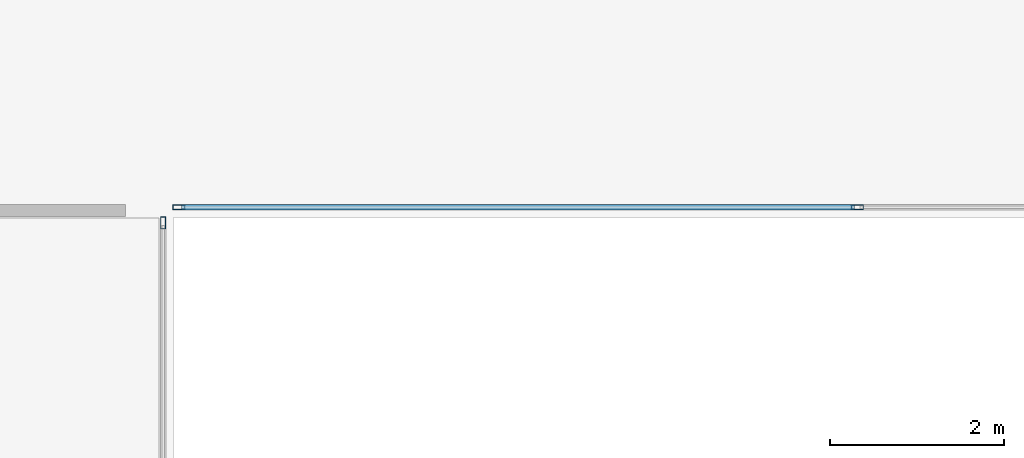
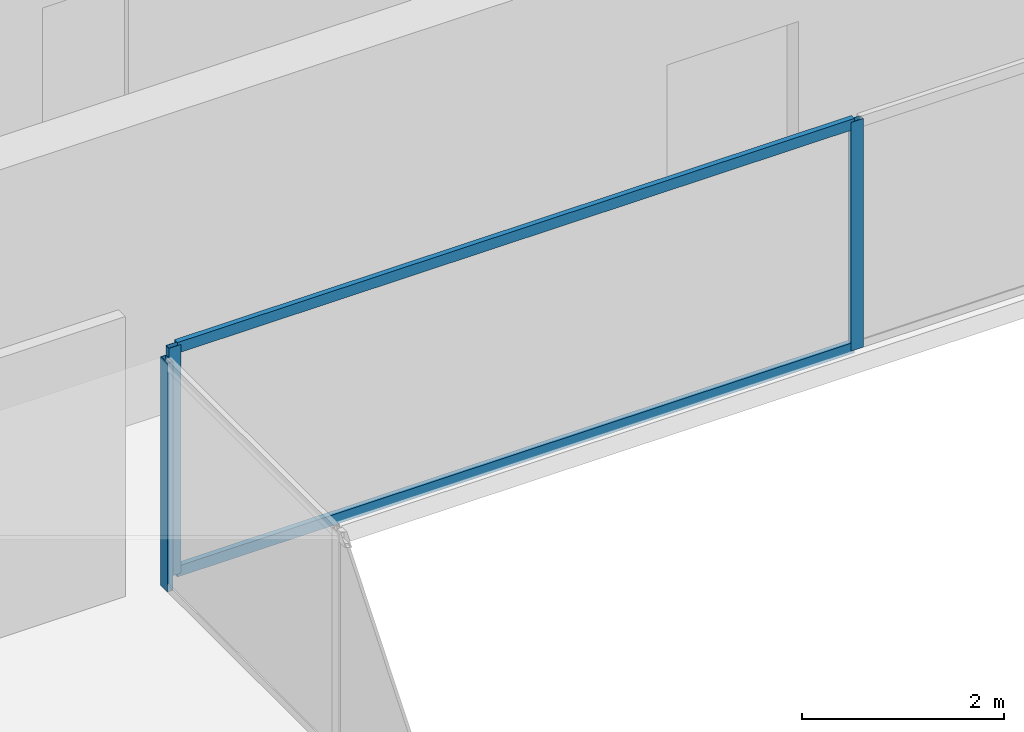
# One storey, part 10 of 30: 5 members, 2 elements without a shape of their own.
"""IFC4 building model written with IfcOpenShell, lengths in metres."""

from ifc_helpers import new_model, si_unit, direction, frame, origin, origin_2d, place, context, subcontext, project, spatial, hollow_rectangle, extrude, source, transform, mapped, material, layer, layer_set, material_profile, profile_set, type_object, element, aggregate, save


model = new_model("IFC4")

# Units and contexts
model_context = context("Model", 3, precision=1e-05, world=origin(), true_north=direction((0.0, 1.0)))
body_context = subcontext(model_context, "Body", "Model", "MODEL_VIEW")
ifc_project = project(units=[si_unit("LENGTHUNIT", "METRE"), si_unit("AREAUNIT", "SQUARE_METRE"), si_unit("VOLUMEUNIT", "CUBIC_METRE"), si_unit("PLANEANGLEUNIT", "RADIAN"), si_unit("MASSUNIT", "GRAM", prefix="KILO")], contexts=[model_context])

# Site, building, storey
site_placement = place(None, origin())
site = spatial("IfcSite", under=ifc_project, at=site_placement, CompositionType="ELEMENT")
building_placement = place(site_placement, origin())
building = spatial("IfcBuilding", under=site, at=building_placement, Name="Sumidabori Civic Tower", CompositionType="ELEMENT")
storey_placement = place(building_placement, frame((0.0, 0.0, 200.0)))
storey = spatial("IfcBuildingStorey", under=building, at=storey_placement, Name="L51", CompositionType="ELEMENT", Elevation=200.0)

# Curtain wall, member
ifc_material = material(Name="Anodised Bronze Aluminium AW-6063-T6", Category="aluminium")
ifc_layer = layer(ifc_material, 0.179931640625, Name="Anodised Bronze Aluminium AW-6063-T6")
ifc_layer_set = layer_set([ifc_layer], Name="Anodised Bronze Aluminium AW-6063-T6")
curtain_wall_type = type_object("IfcCurtainWallType", Name="CW-SYS-4", PredefinedType="NOTDEFINED", material=ifc_layer_set)
curtain_wall_1_placement = place(storey_placement, origin())
curtain_wall_1 = element("IfcCurtainWall", 1, at=curtain_wall_1_placement, inside=storey, type_object=curtain_wall_type, Name="Curtain Wall CW:L51:R04", PredefinedType="NOTDEFINED")
ifc_material_profile_1 = material_profile(ifc_material, hollow_rectangle(XDim=0.06005859375, YDim=0.139892578125, WallThickness=0.0048828125, at=origin_2d()), Name="ALU MULLION 140x60")
ifc_profile_set_1 = profile_set([ifc_material_profile_1], Name="Anodised Bronze Aluminium AW-6063-T6")
member_type_1 = type_object("IfcMemberType", Name="CW-MUL-140", PredefinedType="MULLION", material=ifc_profile_set_1)
shared_shape_1 = source(origin(), body_context, "Body", "SweptSolid", [
    extrude(hollow_rectangle(XDim=0.06005859375, YDim=0.139892578125, WallThickness=0.0048828125, at=origin_2d()), origin(), (0.0, 0.0, 1.0), 2.760009765625),
])
member_1_placement = place(storey_placement, frame((-7.969970703125, 7.340087890625, 0.0), z_axis=(0.0, 0.0, 1.0), x_axis=(-1.0, 0.0, 0.0)))
member_1 = element("IfcMember", 2, at=member_1_placement, type_object=member_type_1, Name="CW-4 mullion 3", PredefinedType="MULLION", context=body_context, shape_type="MappedRepresentation", body=[
    mapped(shared_shape_1, transform((0.0, 0.0, 0.0), x_axis=(1.0, 0.0, 0.0), y_axis=(0.0, 1.0, 0.0), z_axis=(0.0, 0.0, 1.0), scale=1.0)),
])
aggregate(curtain_wall_1, [member_1])

# Curtain wall, members
curtain_wall_2_placement = place(storey_placement, origin())
curtain_wall_2 = element("IfcCurtainWall", 3, at=curtain_wall_2_placement, inside=storey, type_object=curtain_wall_type, Name="Curtain Wall CW:L51:R05", PredefinedType="NOTDEFINED")
member_2_placement = place(storey_placement, frame((-7.7900390625, 7.52001953125, 0.0), z_axis=(0.0, 0.0, 1.0), x_axis=(0.0, 1.0, 0.0)))
member_2 = element("IfcMember", 4, at=member_2_placement, type_object=member_type_1, Name="CW-4 mullion 1", PredefinedType="MULLION", context=body_context, shape_type="MappedRepresentation", body=[
    mapped(shared_shape_1, transform((0.0, 0.0, 0.0), x_axis=(1.0, 0.0, 0.0), y_axis=(0.0, 1.0, 0.0), z_axis=(0.0, 0.0, 1.0), scale=1.0)),
])
member_3_placement = place(storey_placement, frame((0.0, 7.52001953125, 0.0), z_axis=(0.0, 0.0, 1.0), x_axis=(0.0, 1.0, 0.0)))
member_3 = element("IfcMember", 5, at=member_3_placement, type_object=member_type_1, Name="CW-4 mullion 2", PredefinedType="MULLION", context=body_context, shape_type="MappedRepresentation", body=[
    mapped(shared_shape_1, transform((0.0, 0.0, 0.0), x_axis=(1.0, 0.0, 0.0), y_axis=(0.0, 1.0, 0.0), z_axis=(0.0, 0.0, 1.0), scale=1.0)),
])
ifc_material_profile_2 = material_profile(ifc_material, hollow_rectangle(XDim=0.06005859375, YDim=0.1298828125, WallThickness=0.0048828125, at=origin_2d()), Name="ALU TRANSOM 130x60")
ifc_profile_set_2 = profile_set([ifc_material_profile_2], Name="Anodised Bronze Aluminium AW-6063-T6")
member_type_2 = type_object("IfcMemberType", Name="CW-TRN-130", PredefinedType="USERDEFINED", material=ifc_profile_set_2)
shared_shape_2 = source(origin(), body_context, "Body", "SweptSolid", [
    extrude(hollow_rectangle(XDim=0.06005859375, YDim=0.1298828125, WallThickness=0.0048828125, at=origin_2d()), origin(), (0.0, 0.0, 1.0), 7.72998046875),
])
member_4_placement = place(storey_placement, frame((-7.760009765625, 7.52001953125, 0.030029296875), z_axis=(1.0, 0.0, 0.0), x_axis=(0.0, 1.0, 0.0)))
member_4 = element("IfcMember", 6, at=member_4_placement, type_object=member_type_2, Name="CW-4 transom 1.1", ObjectType="TRANSOM", PredefinedType="USERDEFINED", context=body_context, shape_type="MappedRepresentation", body=[
    mapped(shared_shape_2, transform((0.0, 0.0, 0.0), x_axis=(1.0, 0.0, 0.0), y_axis=(0.0, 1.0, 0.0), z_axis=(0.0, 0.0, 1.0), scale=1.0)),
])
member_5_placement = place(storey_placement, frame((-7.760009765625, 7.52001953125, 2.72998046875), z_axis=(1.0, 0.0, 0.0), x_axis=(0.0, 1.0, 0.0)))
member_5 = element("IfcMember", 7, at=member_5_placement, type_object=member_type_2, Name="CW-4 transom 1.2", ObjectType="TRANSOM", PredefinedType="USERDEFINED", context=body_context, shape_type="MappedRepresentation", body=[
    mapped(shared_shape_2, transform((0.0, 0.0, 0.0), x_axis=(1.0, 0.0, 0.0), y_axis=(0.0, 1.0, 0.0), z_axis=(0.0, 0.0, 1.0), scale=1.0)),
])
aggregate(curtain_wall_2, [member_2, member_3, member_4, member_5])

save(model, "model.ifc")
